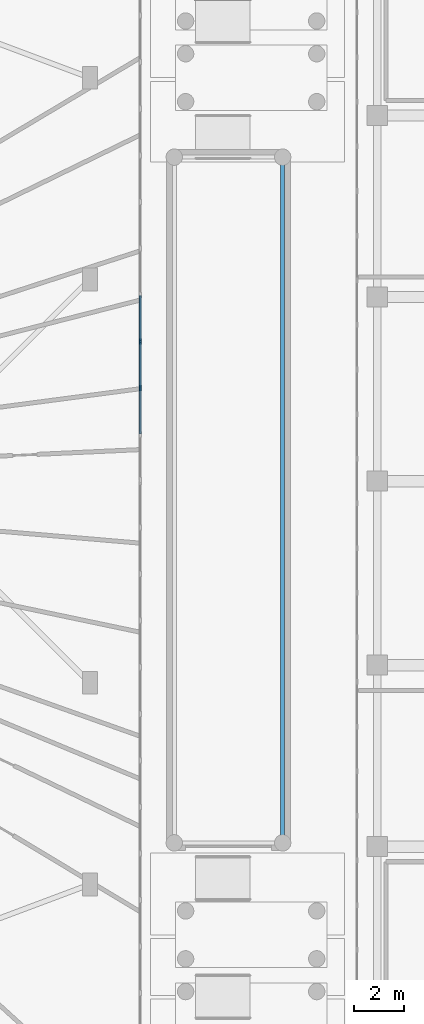
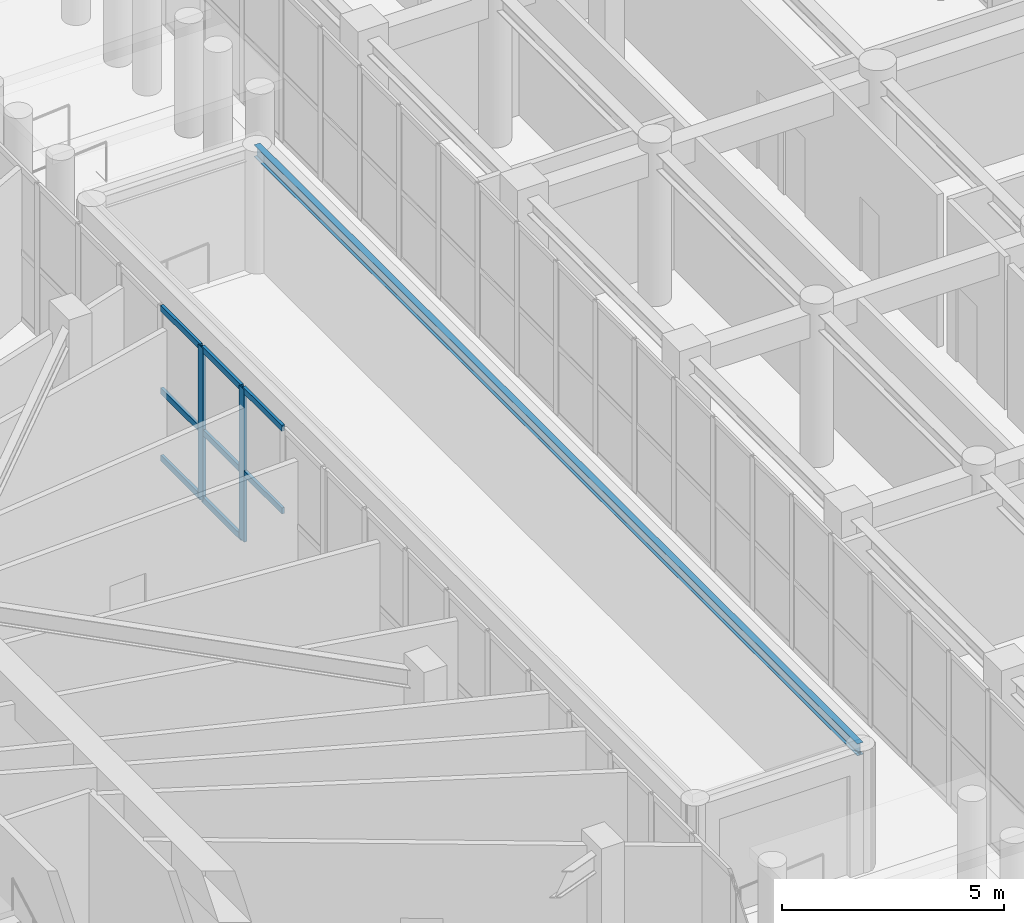
# One storey, part 3 of 30: 10 members, 1 beam, 1 element without a shape of its own.
"""IFC4 building model written with IfcOpenShell, lengths in metres."""

from ifc_helpers import new_model, si_unit, direction, frame, origin, origin_with_axes, origin_2d, place, context, subcontext, project, spatial, rectangle, i_section, extrude, source, transform, mapped, material, layer, layer_set, material_profile, profile_set, type_object, element, aggregate, save


model = new_model("IFC4")

# Units and contexts
model_context = context("Model", 3, precision=1e-05, world=origin(), true_north=direction((0.0, 1.0)))
body_context = subcontext(model_context, "Body", "Model", "MODEL_VIEW")
ifc_project = project(units=[si_unit("LENGTHUNIT", "METRE"), si_unit("AREAUNIT", "SQUARE_METRE"), si_unit("VOLUMEUNIT", "CUBIC_METRE"), si_unit("PLANEANGLEUNIT", "RADIAN"), si_unit("MASSUNIT", "GRAM", prefix="KILO")], contexts=[model_context])

# Site, building, storey
site_placement = place(None, origin())
site = spatial("IfcSite", under=ifc_project, at=site_placement, CompositionType="ELEMENT")
building_placement = place(site_placement, origin())
building = spatial("IfcBuilding", under=site, at=building_placement, Name="Karkom Vertical University and Central Library", CompositionType="ELEMENT")
storey_placement = place(building_placement, origin())
storey = spatial("IfcBuildingStorey", under=building, at=storey_placement, Name="L00", CompositionType="ELEMENT", Elevation=0.0)

# Beam
ifc_material_1 = material(Name="Steel S355", Category="steel")
ifc_material_profile_1 = material_profile(ifc_material_1, i_section(OverallWidth=0.159912109375, OverallDepth=0.330078125, WebThickness=0.007568359375, FlangeThickness=0.011474609375, FilletRadius=0.01806640625, at=origin_2d()), Name="IPE 330")
ifc_profile_set_1 = profile_set([ifc_material_profile_1], Name="Steel S355")
beam_type = type_object("IfcBeamType", Name="STR-BM-SB-IPE330", PredefinedType="BEAM", material=ifc_profile_set_1)
shared_shape_1 = source(origin_with_axes(), body_context, "Body", "SweptSolid", [
    extrude(i_section(OverallWidth=0.159912109375, OverallDepth=0.330078125, WebThickness=0.007568359375, FlangeThickness=0.011474609375, FilletRadius=0.01806640625, at=origin_2d()), origin(), (0.0, 0.0, 1.0), 27.2001953125),
])
beam_placement = place(storey_placement, frame((62.449951171875, 12.14990234375, 3.195068359375), z_axis=(0.0, 1.0, 0.0), x_axis=(-1.0, 0.0, 0.0)))
element("IfcBeam", 1, at=beam_placement, inside=storey, type_object=beam_type, Name="Level 00 Ramp Pavilion Roof Beam 2", PredefinedType="BEAM", context=body_context, shape_type="MappedRepresentation", body=[
    mapped(shared_shape_1, transform((0.0, 0.0, 0.0), scale=1.0)),
])

# Curtain wall, members
ifc_material_2 = material(Name="Aluminium curtain-wall framing and low-E IGU", Category="aluminium")
ifc_layer = layer(ifc_material_2, 0.199951171875)
ifc_layer_set = layer_set([ifc_layer], Name="Aluminium curtain-wall framing and low-E IGU")
curtain_wall_type = type_object("IfcCurtainWallType", Name="ENV-CW-3", PredefinedType="USERDEFINED", material=ifc_layer_set)
curtain_wall_placement = place(storey_placement, origin())
curtain_wall = element("IfcCurtainWall", 2, at=curtain_wall_placement, inside=storey, type_object=curtain_wall_type, Name="Level 00 CW-3 Curtain Wall L00-CW3-3-2", ObjectType="STICK MULLION GLAZING", PredefinedType="USERDEFINED")
ifc_material_3 = material(Name="Anodised Aluminium 6063-T6", Category="aluminium")
ifc_material_profile_2 = material_profile(ifc_material_3, rectangle(XDim=0.074951171875, YDim=0.219970703125, at=origin_2d()), Name="ALU-M75x220")
ifc_profile_set_2 = profile_set([ifc_material_profile_2], Name="Anodised Aluminium 6063-T6")
member_type_1 = type_object("IfcMemberType", Name="ENV-MEM-ALU-M75x220", PredefinedType="MULLION", material=ifc_profile_set_2)
shared_shape_2 = source(origin_with_axes(), body_context, "Body", "SweptSolid", [
    extrude(rectangle(XDim=0.074951171875, YDim=0.219970703125, at=origin_2d()), origin(), (0.0, 0.0, 1.0), 4.199951171875),
])
member_1_placement = place(storey_placement, frame((56.800048828125, 30.1923828125, 0.0), z_axis=(0.0, 0.0, 1.0), x_axis=(-1.0, 0.0, 0.0)))
member_1 = element("IfcMember", 3, at=member_1_placement, type_object=member_type_1, Name="CW-3 mullion 3", PredefinedType="MULLION", context=body_context, shape_type="MappedRepresentation", body=[
    mapped(shared_shape_2, transform((0.0, 0.0, 0.0), scale=1.0)),
])
member_2_placement = place(storey_placement, frame((56.800048828125, 32.03857421875, 0.0), z_axis=(0.0, 0.0, 1.0), x_axis=(-1.0, 0.0, 0.0)))
member_2 = element("IfcMember", 4, at=member_2_placement, type_object=member_type_1, Name="CW-3 mullion 4", PredefinedType="MULLION", context=body_context, shape_type="MappedRepresentation", body=[
    mapped(shared_shape_2, transform((0.0, 0.0, 0.0), scale=1.0)),
])
ifc_material_profile_3 = material_profile(ifc_material_3, rectangle(XDim=0.074951171875, YDim=0.1650390625, at=origin_2d()), Name="ALU-T75x165")
ifc_profile_set_3 = profile_set([ifc_material_profile_3], Name="Anodised Aluminium 6063-T6")
member_type_2 = type_object("IfcMemberType", Name="ENV-MEM-ALU-T75x165", PredefinedType="USERDEFINED", material=ifc_profile_set_3)
shared_shape_3 = source(origin_with_axes(), body_context, "Body", "SweptSolid", [
    extrude(rectangle(XDim=0.074951171875, YDim=0.1650390625, at=origin_2d()), origin(), (0.0, 0.0, 1.0), 1.771240234375),
])
member_3_placement = place(storey_placement, frame((56.800048828125, 28.383544921875, 1.889892578125), z_axis=(0.0, 1.0, 0.0), x_axis=(-1.0, 0.0, 0.0)))
member_3 = element("IfcMember", 5, at=member_3_placement, type_object=member_type_2, Name="CW-3 transom 2.2", ObjectType="TRANSOM", PredefinedType="USERDEFINED", context=body_context, shape_type="MappedRepresentation", body=[
    mapped(shared_shape_3, transform((0.0, 0.0, 0.0), scale=1.0)),
])
member_4_placement = place(storey_placement, frame((56.800048828125, 28.383544921875, 4.16259765625), z_axis=(0.0, 1.0, 0.0), x_axis=(-1.0, 0.0, 0.0)))
member_4 = element("IfcMember", 6, at=member_4_placement, type_object=member_type_2, Name="CW-3 transom 2.3", ObjectType="TRANSOM", PredefinedType="USERDEFINED", context=body_context, shape_type="MappedRepresentation", body=[
    mapped(shared_shape_3, transform((0.0, 0.0, 0.0), scale=1.0)),
])
member_5_placement = place(storey_placement, frame((56.800048828125, 30.229736328125, 0.03759765625), z_axis=(0.0, 1.0, 0.0), x_axis=(-1.0, 0.0, 0.0)))
member_5 = element("IfcMember", 7, at=member_5_placement, type_object=member_type_2, Name="CW-3 transom 3.1", ObjectType="TRANSOM", PredefinedType="USERDEFINED", context=body_context, shape_type="MappedRepresentation", body=[
    mapped(shared_shape_3, transform((0.0, 0.0, 0.0), scale=1.0)),
])
member_6_placement = place(storey_placement, frame((56.800048828125, 30.229736328125, 1.889892578125), z_axis=(0.0, 1.0, 0.0), x_axis=(-1.0, 0.0, 0.0)))
member_6 = element("IfcMember", 8, at=member_6_placement, type_object=member_type_2, Name="CW-3 transom 3.2", ObjectType="TRANSOM", PredefinedType="USERDEFINED", context=body_context, shape_type="MappedRepresentation", body=[
    mapped(shared_shape_3, transform((0.0, 0.0, 0.0), scale=1.0)),
])
member_7_placement = place(storey_placement, frame((56.800048828125, 30.229736328125, 4.16259765625), z_axis=(0.0, 1.0, 0.0), x_axis=(-1.0, 0.0, 0.0)))
member_7 = element("IfcMember", 9, at=member_7_placement, type_object=member_type_2, Name="CW-3 transom 3.3", ObjectType="TRANSOM", PredefinedType="USERDEFINED", context=body_context, shape_type="MappedRepresentation", body=[
    mapped(shared_shape_3, transform((0.0, 0.0, 0.0), scale=1.0)),
])
member_8_placement = place(storey_placement, frame((56.800048828125, 32.075927734375, 0.03759765625), z_axis=(0.0, 1.0, 0.0), x_axis=(-1.0, 0.0, 0.0)))
member_8 = element("IfcMember", 10, at=member_8_placement, type_object=member_type_2, Name="CW-3 transom 4.1", ObjectType="TRANSOM", PredefinedType="USERDEFINED", context=body_context, shape_type="MappedRepresentation", body=[
    mapped(shared_shape_3, transform((0.0, 0.0, 0.0), scale=1.0)),
])
member_9_placement = place(storey_placement, frame((56.800048828125, 32.075927734375, 1.889892578125), z_axis=(0.0, 1.0, 0.0), x_axis=(-1.0, 0.0, 0.0)))
member_9 = element("IfcMember", 11, at=member_9_placement, type_object=member_type_2, Name="CW-3 transom 4.2", ObjectType="TRANSOM", PredefinedType="USERDEFINED", context=body_context, shape_type="MappedRepresentation", body=[
    mapped(shared_shape_3, transform((0.0, 0.0, 0.0), scale=1.0)),
])
member_10_placement = place(storey_placement, frame((56.800048828125, 32.075927734375, 4.16259765625), z_axis=(0.0, 1.0, 0.0), x_axis=(-1.0, 0.0, 0.0)))
member_10 = element("IfcMember", 12, at=member_10_placement, type_object=member_type_2, Name="CW-3 transom 4.3", ObjectType="TRANSOM", PredefinedType="USERDEFINED", context=body_context, shape_type="MappedRepresentation", body=[
    mapped(shared_shape_3, transform((0.0, 0.0, 0.0), scale=1.0)),
])
aggregate(curtain_wall, [member_1, member_2, member_3, member_4, member_5, member_6, member_7, member_8, member_9, member_10])

save(model, "model.ifc")
